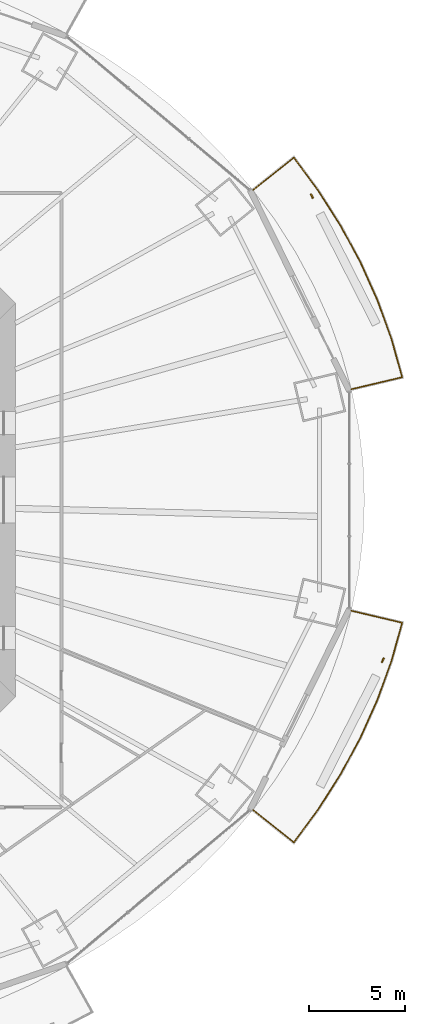
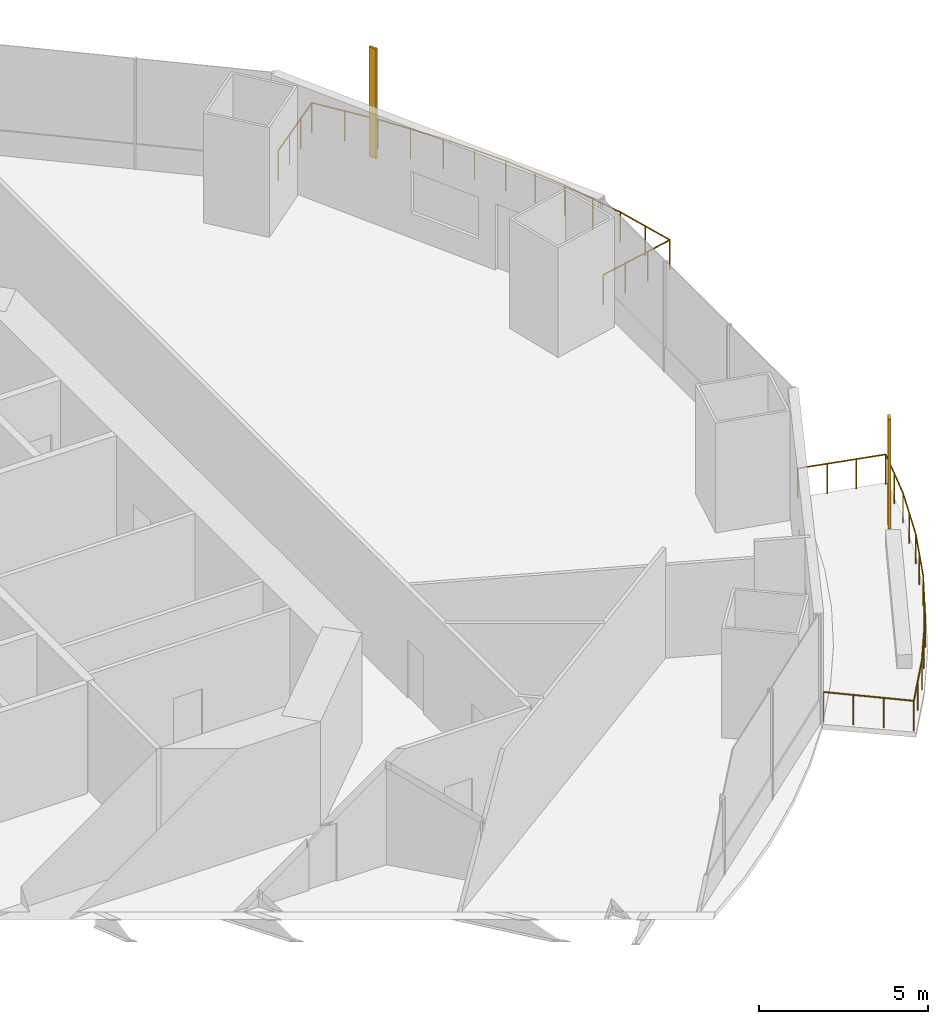
# One storey, part 21 of 22: 2 railings, 2 shading devices.
"""IFC4 building model written with IfcOpenShell, lengths in metres."""

from ifc_helpers import new_model, si_unit, direction, frame, origin, origin_2d, place, context, subcontext, project, spatial, rectangle, circle, extrude, material, material_profile, profile_set, type_object, element, save


model = new_model("IFC4")

# Units and contexts
model_context = context("Model", 3, precision=1e-05, world=origin(), true_north=direction((0.0, 1.0)))
body_context = subcontext(model_context, "Body", "Model", "MODEL_VIEW")
ifc_project = project(units=[si_unit("LENGTHUNIT", "METRE"), si_unit("AREAUNIT", "SQUARE_METRE"), si_unit("VOLUMEUNIT", "CUBIC_METRE"), si_unit("PLANEANGLEUNIT", "RADIAN"), si_unit("MASSUNIT", "GRAM", prefix="KILO")], contexts=[model_context])

# Site, building, storey
site_placement = place(None, origin())
site = spatial("IfcSite", under=ifc_project, at=site_placement, CompositionType="ELEMENT")
building_placement = place(site_placement, origin())
building = spatial("IfcBuilding", under=site, at=building_placement, Name="Marenthal Gate Tower", CompositionType="ELEMENT")
storey_placement = place(building_placement, frame((0.0, 0.0, 99.39990234375)))
storey = spatial("IfcBuildingStorey", under=building, at=storey_placement, Name="L20", CompositionType="ELEMENT", Elevation=99.39990234375)

# Railings
ifc_material_1 = material(Name="Stainless steel", Category="steel")
railing_type = type_object("IfcRailingType", Name="Balcony guard 1100", PredefinedType="GUARDRAIL", material=ifc_material_1)
railing_1_placement = place(storey_placement, frame((28.97509765625, 16.14501953125, 0.0)))
element("IfcRailing", 1, at=railing_1_placement, inside=storey, type_object=railing_type, Name="Balcony guard L20 bay 1", PredefinedType="GUARDRAIL", context=body_context, shape_type="SweptSolid", body=[
    extrude(circle(Radius=0.02392578125, at=origin_2d()), frame((0.0, 0.0, 1.076171875), z_axis=(0.782219115125, 0.622831649721, -0.014628466701), x_axis=(-0.622898300926, 0.782302822892, 0.0)), (0.0, 0.0, 1.0), 2.720458984375),
    extrude(circle(Radius=0.02392578125, at=origin_2d()), frame((2.1279296875, 1.6943359375, 1.0361328125), z_axis=(0.594516836854, -0.804083161556, 0.0), x_axis=(0.804083161556, 0.594516836854, 0.0)), (0.0, 0.0, 1.0), 2.12841796875),
    extrude(circle(Radius=0.02392578125, at=origin_2d()), frame((3.393310546875, -0.01708984375, 1.0361328125), z_axis=(0.537452327695, -0.843294133417, 0.0), x_axis=(0.843294133417, 0.537452327695, 0.0)), (0.0, 0.0, 1.0), 2.1904296875),
    extrude(circle(Radius=0.02392578125, at=origin_2d()), frame((4.570556640625, -1.8642578125, 1.0361328125), z_axis=(0.475284522292, -0.879832156078, 0.0), x_axis=(0.879832156078, 0.475284522292, 0.0)), (0.0, 0.0, 1.0), 2.17431640625),
    extrude(circle(Radius=0.02392578125, at=origin_2d()), frame((5.60400390625, -3.77734375, 1.0361328125), z_axis=(0.409429124113, -0.91234192731, 0.0), x_axis=(0.91234192731, 0.409429124113, 0.0)), (0.0, 0.0, 1.0), 2.15966796875),
    extrude(circle(Radius=0.02392578125, at=origin_2d()), frame((6.48828125, -5.747802734375, 1.0361328125), z_axis=(0.340136081654, -0.940376225751, 0.0), x_axis=(0.940376225751, 0.340136081654, 0.0)), (0.0, 0.0, 1.0), 2.1474609375),
    extrude(circle(Radius=0.02392578125, at=origin_2d()), frame((7.21875, -7.767333984375, 1.0361328125), z_axis=(0.269277750694, -0.963062559225, 0.0), x_axis=(0.963062559225, 0.269277750694, 0.0)), (0.0, 0.0, 1.0), 2.05712890625),
    extrude(circle(Radius=0.02392578125, at=origin_2d()), frame((7.772705078125, -9.74853515625, 1.0361328125), z_axis=(-0.972948082901, -0.230560245824, 0.014628773869), x_axis=(0.230584919848, -0.973052205557, 0.0)), (0.0, 0.0, 1.0), 2.72021484375),
    extrude(circle(Radius=0.02099609375, at=origin_2d()), origin(), (0.0, 0.0, 1.0), 1.052001953125),
    extrude(circle(Radius=0.02099609375, at=origin_2d()), frame((0.709228515625, 0.564697265625, -0.01318359375)), (0.0, 0.0, 1.0), 1.052001953125),
    extrude(circle(Radius=0.02099609375, at=origin_2d()), frame((1.418701171875, 1.129638671875, -0.026611328125)), (0.0, 0.0, 1.0), 1.052001953125),
    extrude(circle(Radius=0.02099609375, at=origin_2d()), frame((2.1279296875, 1.6943359375, -0.039794921875)), (0.0, 0.0, 1.0), 1.052001953125),
    extrude(circle(Radius=0.02099609375, at=origin_2d()), frame((2.7607421875, 0.838623046875, -0.039794921875)), (0.0, 0.0, 1.0), 1.052001953125),
    extrude(circle(Radius=0.02099609375, at=origin_2d()), frame((3.393310546875, -0.01708984375, -0.039794921875)), (0.0, 0.0, 1.0), 1.052001953125),
    extrude(circle(Radius=0.02099609375, at=origin_2d()), frame((3.98193359375, -0.940673828125, -0.039794921875)), (0.0, 0.0, 1.0), 1.052001953125),
    extrude(circle(Radius=0.02099609375, at=origin_2d()), frame((4.570556640625, -1.8642578125, -0.039794921875)), (0.0, 0.0, 1.0), 1.052001953125),
    extrude(circle(Radius=0.02099609375, at=origin_2d()), frame((5.08740234375, -2.82080078125, -0.039794921875)), (0.0, 0.0, 1.0), 1.052001953125),
    extrude(circle(Radius=0.02099609375, at=origin_2d()), frame((5.60400390625, -3.77734375, -0.039794921875)), (0.0, 0.0, 1.0), 1.052001953125),
    extrude(circle(Radius=0.02099609375, at=origin_2d()), frame((6.046142578125, -4.7626953125, -0.039794921875)), (0.0, 0.0, 1.0), 1.052001953125),
    extrude(circle(Radius=0.02099609375, at=origin_2d()), frame((6.48828125, -5.747802734375, -0.039794921875)), (0.0, 0.0, 1.0), 1.052001953125),
    extrude(circle(Radius=0.02099609375, at=origin_2d()), frame((6.853515625, -6.757568359375, -0.039794921875)), (0.0, 0.0, 1.0), 1.052001953125),
    extrude(circle(Radius=0.02099609375, at=origin_2d()), frame((7.21875, -7.767333984375, -0.039794921875)), (0.0, 0.0, 1.0), 1.052001953125),
    extrude(circle(Radius=0.02099609375, at=origin_2d()), frame((7.49560546875, -8.7578125, -0.039794921875)), (0.0, 0.0, 1.0), 1.052001953125),
    extrude(circle(Radius=0.02099609375, at=origin_2d()), frame((7.772705078125, -9.74853515625, -0.039794921875)), (0.0, 0.0, 1.0), 1.052001953125),
    extrude(circle(Radius=0.02099609375, at=origin_2d()), frame((6.890380859375, -9.95751953125, -0.026611328125)), (0.0, 0.0, 1.0), 1.052001953125),
    extrude(circle(Radius=0.02099609375, at=origin_2d()), frame((6.00830078125, -10.166748046875, -0.01318359375)), (0.0, 0.0, 1.0), 1.052001953125),
    extrude(circle(Radius=0.02099609375, at=origin_2d()), frame((5.1259765625, -10.375732421875, 0.0)), (0.0, 0.0, 1.0), 1.052001953125),
])
railing_2_placement = place(storey_placement, frame((34.10107421875, -5.769287109375, 0.0)))
element("IfcRailing", 2, at=railing_2_placement, inside=storey, type_object=railing_type, Name="Balcony guard L20 bay 15", PredefinedType="GUARDRAIL", context=body_context, shape_type="SweptSolid", body=[
    extrude(circle(Radius=0.02392578125, at=origin_2d()), frame((0.0, 0.0, 1.076171875), z_axis=(0.972948082901, -0.230560245824, -0.014628773869), x_axis=(0.230584919848, 0.973052205557, 0.0)), (0.0, 0.0, 1.0), 2.72021484375),
    extrude(circle(Radius=0.02392578125, at=origin_2d()), frame((2.646728515625, -0.627197265625, 1.0361328125), z_axis=(-0.269277750694, -0.963062559225, 0.0), x_axis=(0.963062559225, -0.269277750694, 0.0)), (0.0, 0.0, 1.0), 2.05712890625),
    extrude(circle(Radius=0.02392578125, at=origin_2d()), frame((2.0927734375, -2.6083984375, 1.0361328125), z_axis=(-0.340136081654, -0.940376225751, 0.0), x_axis=(0.940376225751, -0.340136081654, 0.0)), (0.0, 0.0, 1.0), 2.1474609375),
    extrude(circle(Radius=0.02392578125, at=origin_2d()), frame((1.3623046875, -4.6279296875, 1.0361328125), z_axis=(-0.409429124113, -0.91234192731, 0.0), x_axis=(0.91234192731, -0.409429124113, 0.0)), (0.0, 0.0, 1.0), 2.15966796875),
    extrude(circle(Radius=0.02392578125, at=origin_2d()), frame((0.47802734375, -6.598388671875, 1.0361328125), z_axis=(-0.475284522292, -0.879832156078, 0.0), x_axis=(0.879832156078, -0.475284522292, 0.0)), (0.0, 0.0, 1.0), 2.17431640625),
    extrude(circle(Radius=0.02392578125, at=origin_2d()), frame((-0.555419921875, -8.511474609375, 1.0361328125), z_axis=(-0.537452327695, -0.843294133417, 0.0), x_axis=(0.843294133417, -0.537452327695, 0.0)), (0.0, 0.0, 1.0), 2.1904296875),
    extrude(circle(Radius=0.02392578125, at=origin_2d()), frame((-1.732666015625, -10.358642578125, 1.0361328125), z_axis=(-0.594516836854, -0.804083161556, 0.0), x_axis=(0.804083161556, -0.594516836854, 0.0)), (0.0, 0.0, 1.0), 2.12841796875),
    extrude(circle(Radius=0.02392578125, at=origin_2d()), frame((-2.998046875, -12.070068359375, 1.0361328125), z_axis=(-0.782219115125, 0.622831649721, 0.014628466701), x_axis=(-0.622898300926, -0.782302822892, 0.0)), (0.0, 0.0, 1.0), 2.720458984375),
    extrude(circle(Radius=0.02099609375, at=origin_2d()), origin(), (0.0, 0.0, 1.0), 1.052001953125),
    extrude(circle(Radius=0.02099609375, at=origin_2d()), frame((0.88232421875, -0.208984375, -0.01318359375)), (0.0, 0.0, 1.0), 1.052001953125),
    extrude(circle(Radius=0.02099609375, at=origin_2d()), frame((1.764404296875, -0.418212890625, -0.026611328125)), (0.0, 0.0, 1.0), 1.052001953125),
    extrude(circle(Radius=0.02099609375, at=origin_2d()), frame((2.646728515625, -0.627197265625, -0.039794921875)), (0.0, 0.0, 1.0), 1.052001953125),
    extrude(circle(Radius=0.02099609375, at=origin_2d()), frame((2.36962890625, -1.61767578125, -0.039794921875)), (0.0, 0.0, 1.0), 1.052001953125),
    extrude(circle(Radius=0.02099609375, at=origin_2d()), frame((2.0927734375, -2.6083984375, -0.039794921875)), (0.0, 0.0, 1.0), 1.052001953125),
    extrude(circle(Radius=0.02099609375, at=origin_2d()), frame((1.7275390625, -3.6181640625, -0.039794921875)), (0.0, 0.0, 1.0), 1.052001953125),
    extrude(circle(Radius=0.02099609375, at=origin_2d()), frame((1.3623046875, -4.6279296875, -0.039794921875)), (0.0, 0.0, 1.0), 1.052001953125),
    extrude(circle(Radius=0.02099609375, at=origin_2d()), frame((0.920166015625, -5.61328125, -0.039794921875)), (0.0, 0.0, 1.0), 1.052001953125),
    extrude(circle(Radius=0.02099609375, at=origin_2d()), frame((0.47802734375, -6.598388671875, -0.039794921875)), (0.0, 0.0, 1.0), 1.052001953125),
    extrude(circle(Radius=0.02099609375, at=origin_2d()), frame((-0.03857421875, -7.554931640625, -0.039794921875)), (0.0, 0.0, 1.0), 1.052001953125),
    extrude(circle(Radius=0.02099609375, at=origin_2d()), frame((-0.555419921875, -8.511474609375, -0.039794921875)), (0.0, 0.0, 1.0), 1.052001953125),
    extrude(circle(Radius=0.02099609375, at=origin_2d()), frame((-1.14404296875, -9.43505859375, -0.039794921875)), (0.0, 0.0, 1.0), 1.052001953125),
    extrude(circle(Radius=0.02099609375, at=origin_2d()), frame((-1.732666015625, -10.358642578125, -0.039794921875)), (0.0, 0.0, 1.0), 1.052001953125),
    extrude(circle(Radius=0.02099609375, at=origin_2d()), frame((-2.365234375, -11.21435546875, -0.039794921875)), (0.0, 0.0, 1.0), 1.052001953125),
    extrude(circle(Radius=0.02099609375, at=origin_2d()), frame((-2.998046875, -12.070068359375, -0.039794921875)), (0.0, 0.0, 1.0), 1.052001953125),
    extrude(circle(Radius=0.02099609375, at=origin_2d()), frame((-3.707275390625, -11.50537109375, -0.026611328125)), (0.0, 0.0, 1.0), 1.052001953125),
    extrude(circle(Radius=0.02099609375, at=origin_2d()), frame((-4.416748046875, -10.9404296875, -0.01318359375)), (0.0, 0.0, 1.0), 1.052001953125),
    extrude(circle(Radius=0.02099609375, at=origin_2d()), frame((-5.1259765625, -10.375732421875, 0.0)), (0.0, 0.0, 1.0), 1.052001953125),
])

# Shading devices
ifc_material_2 = material(Name="Terracotta", Category="masonry")
ifc_material_profile = material_profile(ifc_material_2, rectangle(XDim=0.25, YDim=0.080078125, at=origin_2d()), Name="Terracotta baguette 250x80")
ifc_profile_set = profile_set([ifc_material_profile], Name="Terracotta")
shading_device_type = type_object("IfcShadingDeviceType", Name="Terracotta BAGUETTE SCREEN 250x80", PredefinedType="USERDEFINED", material=ifc_profile_set)
for number, where, z_axis, x_axis, name in (
    (3, (32.043701171875, 15.835205078125, -0.039794921875), (0.0, 0.0, 1.0), (-0.44279047576, 0.896625113733, 0.0), "Terracotta BAGUETTE L20 bay 1R"),
    (4, (35.7412109375, -8.34765625, -0.039794921875), (0.0, 0.0, 1.0), (0.44279047576, 0.896625113733, 0.0), "Terracotta BAGUETTE L20 bay 15R"),
):
    element("IfcShadingDevice", number, at=place(storey_placement, frame(where, z_axis=z_axis, x_axis=x_axis)), inside=storey, type_object=shading_device_type, Name=name, ObjectType="BAGUETTE SCREEN", PredefinedType="USERDEFINED", context=body_context, shape_type="SweptSolid", body=[
        extrude(rectangle(XDim=0.25, YDim=0.080078125, at=origin_2d()), origin(), (0.0, 0.0, 1.0), 3.969970703125),
    ])

save(model, "model.ifc")
